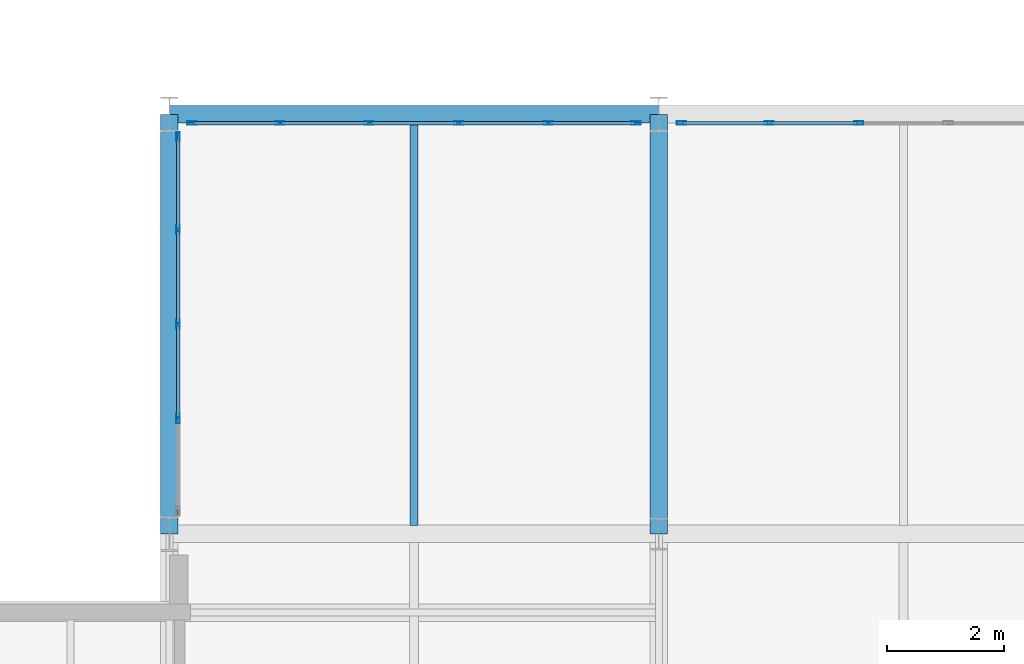
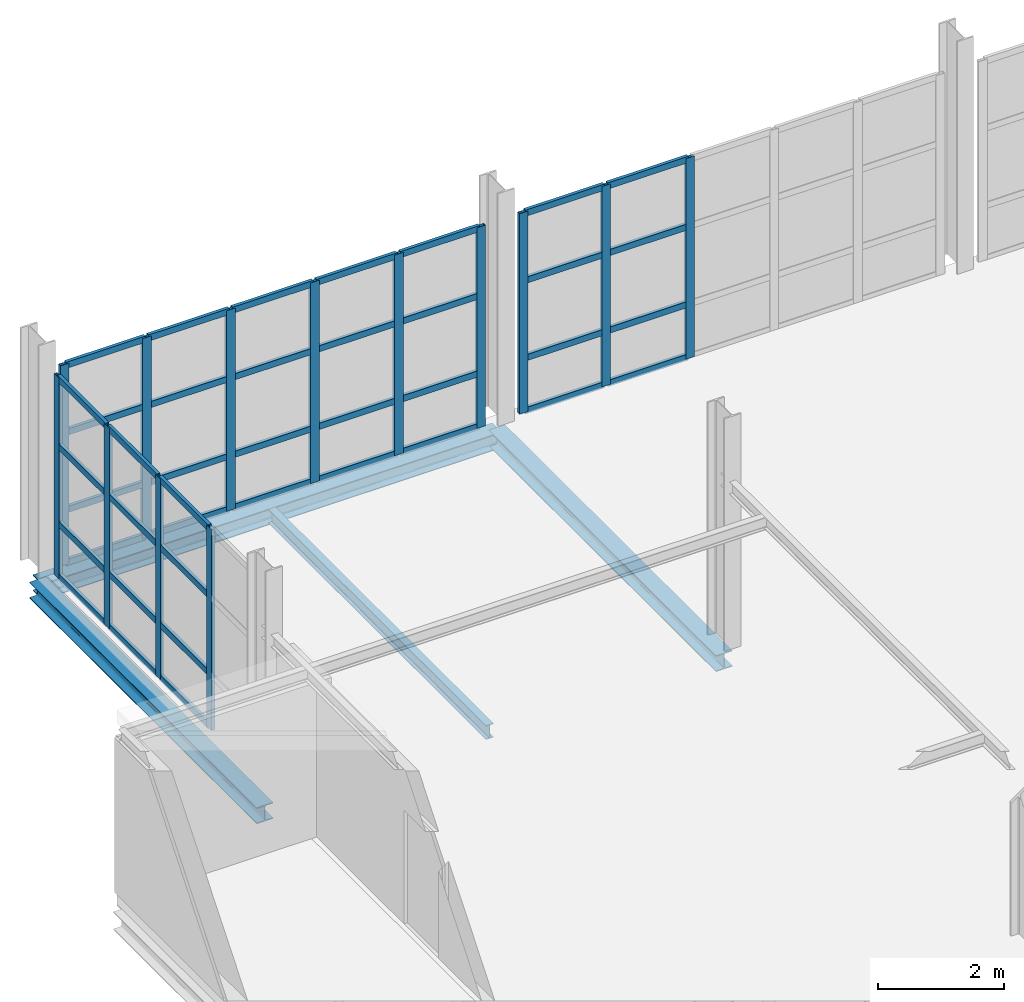
# One storey, part 17 of 109: 53 members, 4 beams, 3 elements without a shape of their own.
"""IFC4 building model written with IfcOpenShell, lengths in metres."""

from ifc_helpers import new_model, si_unit, direction, frame, origin, origin_2d, place, context, subcontext, project, spatial, hollow_rectangle, i_section, extrude, material, material_profile, profile_set, type_object, element, aggregate, save


model = new_model("IFC4")

# Units and contexts
model_context = context("Model", 3, precision=1e-05, world=origin(), true_north=direction((0.0, 1.0)))
body_context = subcontext(model_context, "Body", "Model", "MODEL_VIEW")
ifc_project = project(units=[si_unit("LENGTHUNIT", "METRE"), si_unit("AREAUNIT", "SQUARE_METRE"), si_unit("VOLUMEUNIT", "CUBIC_METRE"), si_unit("PLANEANGLEUNIT", "RADIAN"), si_unit("MASSUNIT", "GRAM", prefix="KILO")], contexts=[model_context])

# Site, building, storey
site_placement = place(None, origin())
site = spatial("IfcSite", under=ifc_project, at=site_placement, CompositionType="ELEMENT")
building_placement = place(site_placement, origin())
building = spatial("IfcBuilding", under=site, at=building_placement, Name="Veltarok Museum of Natural Sciences", CompositionType="ELEMENT")
storey_placement = place(building_placement, frame((0.0, 0.0, 17.39990234375)))
storey = spatial("IfcBuildingStorey", under=building, at=storey_placement, Name="L03", CompositionType="ELEMENT", Elevation=17.39990234375)

# Curtain wall, members
ifc_material_1 = material(Name="Low-iron triple insulated glass", Category="glass")
curtain_wall_type_1 = type_object("IfcCurtainWallType", Name="Curtain Wall System CW-BRG-N-L03-1-768x388 (Bridge North Court L03 1-2 768x388cm)", PredefinedType="NOTDEFINED", material=ifc_material_1)
curtain_wall_1_placement = place(storey_placement, origin())
curtain_wall_1 = element("IfcCurtainWall", 1, at=curtain_wall_1_placement, inside=storey, type_object=curtain_wall_type_1, Name="Curtain Wall CW-BRG-N-L03-1-768x388 CW-0043", PredefinedType="NOTDEFINED")
ifc_material_2 = material(Name="Thermally broken anodised aluminium", Category="aluminium")
ifc_material_profile_1 = material_profile(ifc_material_2, hollow_rectangle(XDim=0.06005859375, YDim=0.1201171875, WallThickness=0.0048828125, at=origin_2d()), Name="CW TRANSOM 60x120x5")
ifc_profile_set_1 = profile_set([ifc_material_profile_1], Name="Thermally broken anodised aluminium")
member_type_1 = type_object("IfcMemberType", Name="Curtain Wall Horizontal Transom 60x120x5", PredefinedType="USERDEFINED", material=ifc_profile_set_1)
member_1_placement = place(storey_placement, frame((14.3798828125, 26.25, 0.030029296875), z_axis=(-1.0, 0.0, 0.0), x_axis=(0.0, -1.0, 0.0)))
member_1 = element("IfcMember", 2, at=member_1_placement, type_object=member_type_1, Name="CW-BRG-N-L03-1-768x388 transom 1.1", ObjectType="TRANSOM", PredefinedType="USERDEFINED", context=body_context, shape_type="SweptSolid", body=[
    extrude(hollow_rectangle(XDim=0.06005859375, YDim=0.1201171875, WallThickness=0.0048828125, at=origin_2d()), origin(), (0.0, 0.0, 1.0), 1.44580078125),
])
member_2_placement = place(storey_placement, frame((14.3798828125, 26.25, 1.050048828125), z_axis=(-1.0, 0.0, 0.0), x_axis=(0.0, -1.0, 0.0)))
member_2 = element("IfcMember", 3, at=member_2_placement, type_object=member_type_1, Name="CW-BRG-N-L03-1-768x388 transom 1.2", ObjectType="TRANSOM", PredefinedType="USERDEFINED", context=body_context, shape_type="SweptSolid", body=[
    extrude(hollow_rectangle(XDim=0.06005859375, YDim=0.1201171875, WallThickness=0.0048828125, at=origin_2d()), origin(), (0.0, 0.0, 1.0), 1.44580078125),
])
member_3_placement = place(storey_placement, frame((14.3798828125, 26.25, 2.550048828125), z_axis=(-1.0, 0.0, 0.0), x_axis=(0.0, -1.0, 0.0)))
member_3 = element("IfcMember", 4, at=member_3_placement, type_object=member_type_1, Name="CW-BRG-N-L03-1-768x388 transom 1.3", ObjectType="TRANSOM", PredefinedType="USERDEFINED", context=body_context, shape_type="SweptSolid", body=[
    extrude(hollow_rectangle(XDim=0.06005859375, YDim=0.1201171875, WallThickness=0.0048828125, at=origin_2d()), origin(), (0.0, 0.0, 1.0), 1.44580078125),
])
member_4_placement = place(storey_placement, frame((14.3798828125, 26.25, 3.85009765625), z_axis=(-1.0, 0.0, 0.0), x_axis=(0.0, -1.0, 0.0)))
member_4 = element("IfcMember", 5, at=member_4_placement, type_object=member_type_1, Name="CW-BRG-N-L03-1-768x388 transom 1.4", ObjectType="TRANSOM", PredefinedType="USERDEFINED", context=body_context, shape_type="SweptSolid", body=[
    extrude(hollow_rectangle(XDim=0.06005859375, YDim=0.1201171875, WallThickness=0.0048828125, at=origin_2d()), origin(), (0.0, 0.0, 1.0), 1.44580078125),
])
member_5_placement = place(storey_placement, frame((12.8740234375, 26.25, 0.030029296875), z_axis=(-1.0, 0.0, 0.0), x_axis=(0.0, -1.0, 0.0)))
member_5 = element("IfcMember", 6, at=member_5_placement, type_object=member_type_1, Name="CW-BRG-N-L03-1-768x388 transom 2.1", ObjectType="TRANSOM", PredefinedType="USERDEFINED", context=body_context, shape_type="SweptSolid", body=[
    extrude(hollow_rectangle(XDim=0.06005859375, YDim=0.1201171875, WallThickness=0.0048828125, at=origin_2d()), origin(), (0.0, 0.0, 1.0), 1.47607421875),
])
member_6_placement = place(storey_placement, frame((12.8740234375, 26.25, 1.050048828125), z_axis=(-1.0, 0.0, 0.0), x_axis=(0.0, -1.0, 0.0)))
member_6 = element("IfcMember", 7, at=member_6_placement, type_object=member_type_1, Name="CW-BRG-N-L03-1-768x388 transom 2.2", ObjectType="TRANSOM", PredefinedType="USERDEFINED", context=body_context, shape_type="SweptSolid", body=[
    extrude(hollow_rectangle(XDim=0.06005859375, YDim=0.1201171875, WallThickness=0.0048828125, at=origin_2d()), origin(), (0.0, 0.0, 1.0), 1.47607421875),
])
member_7_placement = place(storey_placement, frame((12.8740234375, 26.25, 2.550048828125), z_axis=(-1.0, 0.0, 0.0), x_axis=(0.0, -1.0, 0.0)))
member_7 = element("IfcMember", 8, at=member_7_placement, type_object=member_type_1, Name="CW-BRG-N-L03-1-768x388 transom 2.3", ObjectType="TRANSOM", PredefinedType="USERDEFINED", context=body_context, shape_type="SweptSolid", body=[
    extrude(hollow_rectangle(XDim=0.06005859375, YDim=0.1201171875, WallThickness=0.0048828125, at=origin_2d()), origin(), (0.0, 0.0, 1.0), 1.47607421875),
])
member_8_placement = place(storey_placement, frame((12.8740234375, 26.25, 3.85009765625), z_axis=(-1.0, 0.0, 0.0), x_axis=(0.0, -1.0, 0.0)))
member_8 = element("IfcMember", 9, at=member_8_placement, type_object=member_type_1, Name="CW-BRG-N-L03-1-768x388 transom 2.4", ObjectType="TRANSOM", PredefinedType="USERDEFINED", context=body_context, shape_type="SweptSolid", body=[
    extrude(hollow_rectangle(XDim=0.06005859375, YDim=0.1201171875, WallThickness=0.0048828125, at=origin_2d()), origin(), (0.0, 0.0, 1.0), 1.47607421875),
])
member_9_placement = place(storey_placement, frame((11.337890625, 26.25, 0.030029296875), z_axis=(-1.0, 0.0, 0.0), x_axis=(0.0, -1.0, 0.0)))
member_9 = element("IfcMember", 10, at=member_9_placement, type_object=member_type_1, Name="CW-BRG-N-L03-1-768x388 transom 3.1", ObjectType="TRANSOM", PredefinedType="USERDEFINED", context=body_context, shape_type="SweptSolid", body=[
    extrude(hollow_rectangle(XDim=0.06005859375, YDim=0.1201171875, WallThickness=0.0048828125, at=origin_2d()), origin(), (0.0, 0.0, 1.0), 1.475830078125),
])
member_10_placement = place(storey_placement, frame((11.337890625, 26.25, 1.050048828125), z_axis=(-1.0, 0.0, 0.0), x_axis=(0.0, -1.0, 0.0)))
member_10 = element("IfcMember", 11, at=member_10_placement, type_object=member_type_1, Name="CW-BRG-N-L03-1-768x388 transom 3.2", ObjectType="TRANSOM", PredefinedType="USERDEFINED", context=body_context, shape_type="SweptSolid", body=[
    extrude(hollow_rectangle(XDim=0.06005859375, YDim=0.1201171875, WallThickness=0.0048828125, at=origin_2d()), origin(), (0.0, 0.0, 1.0), 1.475830078125),
])
member_11_placement = place(storey_placement, frame((11.337890625, 26.25, 2.550048828125), z_axis=(-1.0, 0.0, 0.0), x_axis=(0.0, -1.0, 0.0)))
member_11 = element("IfcMember", 12, at=member_11_placement, type_object=member_type_1, Name="CW-BRG-N-L03-1-768x388 transom 3.3", ObjectType="TRANSOM", PredefinedType="USERDEFINED", context=body_context, shape_type="SweptSolid", body=[
    extrude(hollow_rectangle(XDim=0.06005859375, YDim=0.1201171875, WallThickness=0.0048828125, at=origin_2d()), origin(), (0.0, 0.0, 1.0), 1.475830078125),
])
member_12_placement = place(storey_placement, frame((11.337890625, 26.25, 3.85009765625), z_axis=(-1.0, 0.0, 0.0), x_axis=(0.0, -1.0, 0.0)))
member_12 = element("IfcMember", 13, at=member_12_placement, type_object=member_type_1, Name="CW-BRG-N-L03-1-768x388 transom 3.4", ObjectType="TRANSOM", PredefinedType="USERDEFINED", context=body_context, shape_type="SweptSolid", body=[
    extrude(hollow_rectangle(XDim=0.06005859375, YDim=0.1201171875, WallThickness=0.0048828125, at=origin_2d()), origin(), (0.0, 0.0, 1.0), 1.475830078125),
])
member_13_placement = place(storey_placement, frame((9.802001953125, 26.25, 0.030029296875), z_axis=(-1.0, 0.0, 0.0), x_axis=(0.0, -1.0, 0.0)))
member_13 = element("IfcMember", 14, at=member_13_placement, type_object=member_type_1, Name="CW-BRG-N-L03-1-768x388 transom 4.1", ObjectType="TRANSOM", PredefinedType="USERDEFINED", context=body_context, shape_type="SweptSolid", body=[
    extrude(hollow_rectangle(XDim=0.06005859375, YDim=0.1201171875, WallThickness=0.0048828125, at=origin_2d()), origin(), (0.0, 0.0, 1.0), 1.47607421875),
])
member_14_placement = place(storey_placement, frame((9.802001953125, 26.25, 1.050048828125), z_axis=(-1.0, 0.0, 0.0), x_axis=(0.0, -1.0, 0.0)))
member_14 = element("IfcMember", 15, at=member_14_placement, type_object=member_type_1, Name="CW-BRG-N-L03-1-768x388 transom 4.2", ObjectType="TRANSOM", PredefinedType="USERDEFINED", context=body_context, shape_type="SweptSolid", body=[
    extrude(hollow_rectangle(XDim=0.06005859375, YDim=0.1201171875, WallThickness=0.0048828125, at=origin_2d()), origin(), (0.0, 0.0, 1.0), 1.47607421875),
])
member_15_placement = place(storey_placement, frame((9.802001953125, 26.25, 2.550048828125), z_axis=(-1.0, 0.0, 0.0), x_axis=(0.0, -1.0, 0.0)))
member_15 = element("IfcMember", 16, at=member_15_placement, type_object=member_type_1, Name="CW-BRG-N-L03-1-768x388 transom 4.3", ObjectType="TRANSOM", PredefinedType="USERDEFINED", context=body_context, shape_type="SweptSolid", body=[
    extrude(hollow_rectangle(XDim=0.06005859375, YDim=0.1201171875, WallThickness=0.0048828125, at=origin_2d()), origin(), (0.0, 0.0, 1.0), 1.47607421875),
])
member_16_placement = place(storey_placement, frame((9.802001953125, 26.25, 3.85009765625), z_axis=(-1.0, 0.0, 0.0), x_axis=(0.0, -1.0, 0.0)))
member_16 = element("IfcMember", 17, at=member_16_placement, type_object=member_type_1, Name="CW-BRG-N-L03-1-768x388 transom 4.4", ObjectType="TRANSOM", PredefinedType="USERDEFINED", context=body_context, shape_type="SweptSolid", body=[
    extrude(hollow_rectangle(XDim=0.06005859375, YDim=0.1201171875, WallThickness=0.0048828125, at=origin_2d()), origin(), (0.0, 0.0, 1.0), 1.47607421875),
])
member_17_placement = place(storey_placement, frame((8.26611328125, 26.25, 0.030029296875), z_axis=(-1.0, 0.0, 0.0), x_axis=(0.0, -1.0, 0.0)))
member_17 = element("IfcMember", 18, at=member_17_placement, type_object=member_type_1, Name="CW-BRG-N-L03-1-768x388 transom 5.1", ObjectType="TRANSOM", PredefinedType="USERDEFINED", context=body_context, shape_type="SweptSolid", body=[
    extrude(hollow_rectangle(XDim=0.06005859375, YDim=0.1201171875, WallThickness=0.0048828125, at=origin_2d()), origin(), (0.0, 0.0, 1.0), 1.446044921875),
])
member_18_placement = place(storey_placement, frame((8.26611328125, 26.25, 1.050048828125), z_axis=(-1.0, 0.0, 0.0), x_axis=(0.0, -1.0, 0.0)))
member_18 = element("IfcMember", 19, at=member_18_placement, type_object=member_type_1, Name="CW-BRG-N-L03-1-768x388 transom 5.2", ObjectType="TRANSOM", PredefinedType="USERDEFINED", context=body_context, shape_type="SweptSolid", body=[
    extrude(hollow_rectangle(XDim=0.06005859375, YDim=0.1201171875, WallThickness=0.0048828125, at=origin_2d()), origin(), (0.0, 0.0, 1.0), 1.446044921875),
])
member_19_placement = place(storey_placement, frame((8.26611328125, 26.25, 2.550048828125), z_axis=(-1.0, 0.0, 0.0), x_axis=(0.0, -1.0, 0.0)))
member_19 = element("IfcMember", 20, at=member_19_placement, type_object=member_type_1, Name="CW-BRG-N-L03-1-768x388 transom 5.3", ObjectType="TRANSOM", PredefinedType="USERDEFINED", context=body_context, shape_type="SweptSolid", body=[
    extrude(hollow_rectangle(XDim=0.06005859375, YDim=0.1201171875, WallThickness=0.0048828125, at=origin_2d()), origin(), (0.0, 0.0, 1.0), 1.446044921875),
])
member_20_placement = place(storey_placement, frame((8.26611328125, 26.25, 3.85009765625), z_axis=(-1.0, 0.0, 0.0), x_axis=(0.0, -1.0, 0.0)))
member_20 = element("IfcMember", 21, at=member_20_placement, type_object=member_type_1, Name="CW-BRG-N-L03-1-768x388 transom 5.4", ObjectType="TRANSOM", PredefinedType="USERDEFINED", context=body_context, shape_type="SweptSolid", body=[
    extrude(hollow_rectangle(XDim=0.06005859375, YDim=0.1201171875, WallThickness=0.0048828125, at=origin_2d()), origin(), (0.0, 0.0, 1.0), 1.446044921875),
])

curtain_wall_type_2 = type_object("IfcCurtainWallType", Name="Curtain Wall System CW-BRG-N-L03-2-768x388 (Bridge North Court L03 2-3 768x388cm)", PredefinedType="NOTDEFINED", material=ifc_material_1)
curtain_wall_2_placement = place(storey_placement, origin())
curtain_wall_2 = element("IfcCurtainWall", 22, at=curtain_wall_2_placement, inside=storey, type_object=curtain_wall_type_2, Name="Curtain Wall CW-BRG-N-L03-2-768x388 CW-0044", PredefinedType="NOTDEFINED")
member_21_placement = place(storey_placement, frame((18.201904296875, 26.25, 0.030029296875), z_axis=(-1.0, 0.0, 0.0), x_axis=(0.0, -1.0, 0.0)))
member_21 = element("IfcMember", 23, at=member_21_placement, type_object=member_type_1, Name="CW-BRG-N-L03-2-768x388 transom 4.1", ObjectType="TRANSOM", PredefinedType="USERDEFINED", context=body_context, shape_type="SweptSolid", body=[
    extrude(hollow_rectangle(XDim=0.06005859375, YDim=0.1201171875, WallThickness=0.0048828125, at=origin_2d()), origin(), (0.0, 0.0, 1.0), 1.475830078125),
])
member_22_placement = place(storey_placement, frame((18.201904296875, 26.25, 1.050048828125), z_axis=(-1.0, 0.0, 0.0), x_axis=(0.0, -1.0, 0.0)))
member_22 = element("IfcMember", 24, at=member_22_placement, type_object=member_type_1, Name="CW-BRG-N-L03-2-768x388 transom 4.2", ObjectType="TRANSOM", PredefinedType="USERDEFINED", context=body_context, shape_type="SweptSolid", body=[
    extrude(hollow_rectangle(XDim=0.06005859375, YDim=0.1201171875, WallThickness=0.0048828125, at=origin_2d()), origin(), (0.0, 0.0, 1.0), 1.475830078125),
])
member_23_placement = place(storey_placement, frame((18.201904296875, 26.25, 2.550048828125), z_axis=(-1.0, 0.0, 0.0), x_axis=(0.0, -1.0, 0.0)))
member_23 = element("IfcMember", 25, at=member_23_placement, type_object=member_type_1, Name="CW-BRG-N-L03-2-768x388 transom 4.3", ObjectType="TRANSOM", PredefinedType="USERDEFINED", context=body_context, shape_type="SweptSolid", body=[
    extrude(hollow_rectangle(XDim=0.06005859375, YDim=0.1201171875, WallThickness=0.0048828125, at=origin_2d()), origin(), (0.0, 0.0, 1.0), 1.475830078125),
])
member_24_placement = place(storey_placement, frame((18.201904296875, 26.25, 3.85009765625), z_axis=(-1.0, 0.0, 0.0), x_axis=(0.0, -1.0, 0.0)))
member_24 = element("IfcMember", 26, at=member_24_placement, type_object=member_type_1, Name="CW-BRG-N-L03-2-768x388 transom 4.4", ObjectType="TRANSOM", PredefinedType="USERDEFINED", context=body_context, shape_type="SweptSolid", body=[
    extrude(hollow_rectangle(XDim=0.06005859375, YDim=0.1201171875, WallThickness=0.0048828125, at=origin_2d()), origin(), (0.0, 0.0, 1.0), 1.475830078125),
])
member_25_placement = place(storey_placement, frame((16.666015625, 26.25, 0.030029296875), z_axis=(-1.0, 0.0, 0.0), x_axis=(0.0, -1.0, 0.0)))
member_25 = element("IfcMember", 27, at=member_25_placement, type_object=member_type_1, Name="CW-BRG-N-L03-2-768x388 transom 5.1", ObjectType="TRANSOM", PredefinedType="USERDEFINED", context=body_context, shape_type="SweptSolid", body=[
    extrude(hollow_rectangle(XDim=0.06005859375, YDim=0.1201171875, WallThickness=0.0048828125, at=origin_2d()), origin(), (0.0, 0.0, 1.0), 1.446044921875),
])
member_26_placement = place(storey_placement, frame((16.666015625, 26.25, 1.050048828125), z_axis=(-1.0, 0.0, 0.0), x_axis=(0.0, -1.0, 0.0)))
member_26 = element("IfcMember", 28, at=member_26_placement, type_object=member_type_1, Name="CW-BRG-N-L03-2-768x388 transom 5.2", ObjectType="TRANSOM", PredefinedType="USERDEFINED", context=body_context, shape_type="SweptSolid", body=[
    extrude(hollow_rectangle(XDim=0.06005859375, YDim=0.1201171875, WallThickness=0.0048828125, at=origin_2d()), origin(), (0.0, 0.0, 1.0), 1.446044921875),
])
member_27_placement = place(storey_placement, frame((16.666015625, 26.25, 2.550048828125), z_axis=(-1.0, 0.0, 0.0), x_axis=(0.0, -1.0, 0.0)))
member_27 = element("IfcMember", 29, at=member_27_placement, type_object=member_type_1, Name="CW-BRG-N-L03-2-768x388 transom 5.3", ObjectType="TRANSOM", PredefinedType="USERDEFINED", context=body_context, shape_type="SweptSolid", body=[
    extrude(hollow_rectangle(XDim=0.06005859375, YDim=0.1201171875, WallThickness=0.0048828125, at=origin_2d()), origin(), (0.0, 0.0, 1.0), 1.446044921875),
])
member_28_placement = place(storey_placement, frame((16.666015625, 26.25, 3.85009765625), z_axis=(-1.0, 0.0, 0.0), x_axis=(0.0, -1.0, 0.0)))
member_28 = element("IfcMember", 30, at=member_28_placement, type_object=member_type_1, Name="CW-BRG-N-L03-2-768x388 transom 5.4", ObjectType="TRANSOM", PredefinedType="USERDEFINED", context=body_context, shape_type="SweptSolid", body=[
    extrude(hollow_rectangle(XDim=0.06005859375, YDim=0.1201171875, WallThickness=0.0048828125, at=origin_2d()), origin(), (0.0, 0.0, 1.0), 1.446044921875),
])

curtain_wall_type_3 = type_object("IfcCurtainWallType", Name="Curtain Wall System CW-BRG-W-L03-CD-648x388 (Bridge West Forecourt L03 C-D 648x388cm)", PredefinedType="NOTDEFINED", material=ifc_material_1)
curtain_wall_3_placement = place(storey_placement, origin())
curtain_wall_3 = element("IfcCurtainWall", 31, at=curtain_wall_3_placement, inside=storey, type_object=curtain_wall_type_3, Name="Curtain Wall CW-BRG-W-L03-CD-648x388 CW-0046", PredefinedType="NOTDEFINED")
member_29_placement = place(storey_placement, frame((6.550048828125, 25.97998046875, 0.030029296875), z_axis=(0.0, -1.0, 0.0), x_axis=(1.0, 0.0, 0.0)))
member_29 = element("IfcMember", 32, at=member_29_placement, type_object=member_type_1, Name="CW-BRG-W-L03-CD-648x388 transom 1.1", ObjectType="TRANSOM", PredefinedType="USERDEFINED", context=body_context, shape_type="SweptSolid", body=[
    extrude(hollow_rectangle(XDim=0.06005859375, YDim=0.1201171875, WallThickness=0.0048828125, at=origin_2d()), origin(), (0.0, 0.0, 1.0), 1.530029296875),
])
member_30_placement = place(storey_placement, frame((6.550048828125, 25.97998046875, 1.050048828125), z_axis=(0.0, -1.0, 0.0), x_axis=(1.0, 0.0, 0.0)))
member_30 = element("IfcMember", 33, at=member_30_placement, type_object=member_type_1, Name="CW-BRG-W-L03-CD-648x388 transom 1.2", ObjectType="TRANSOM", PredefinedType="USERDEFINED", context=body_context, shape_type="SweptSolid", body=[
    extrude(hollow_rectangle(XDim=0.06005859375, YDim=0.1201171875, WallThickness=0.0048828125, at=origin_2d()), origin(), (0.0, 0.0, 1.0), 1.530029296875),
])
member_31_placement = place(storey_placement, frame((6.550048828125, 25.97998046875, 2.550048828125), z_axis=(0.0, -1.0, 0.0), x_axis=(1.0, 0.0, 0.0)))
member_31 = element("IfcMember", 34, at=member_31_placement, type_object=member_type_1, Name="CW-BRG-W-L03-CD-648x388 transom 1.3", ObjectType="TRANSOM", PredefinedType="USERDEFINED", context=body_context, shape_type="SweptSolid", body=[
    extrude(hollow_rectangle(XDim=0.06005859375, YDim=0.1201171875, WallThickness=0.0048828125, at=origin_2d()), origin(), (0.0, 0.0, 1.0), 1.530029296875),
])
member_32_placement = place(storey_placement, frame((6.550048828125, 25.97998046875, 3.85009765625), z_axis=(0.0, -1.0, 0.0), x_axis=(1.0, 0.0, 0.0)))
member_32 = element("IfcMember", 35, at=member_32_placement, type_object=member_type_1, Name="CW-BRG-W-L03-CD-648x388 transom 1.4", ObjectType="TRANSOM", PredefinedType="USERDEFINED", context=body_context, shape_type="SweptSolid", body=[
    extrude(hollow_rectangle(XDim=0.06005859375, YDim=0.1201171875, WallThickness=0.0048828125, at=origin_2d()), origin(), (0.0, 0.0, 1.0), 1.530029296875),
])
member_33_placement = place(storey_placement, frame((6.550048828125, 24.389892578125, 0.030029296875), z_axis=(0.0, -1.0, 0.0), x_axis=(1.0, 0.0, 0.0)))
member_33 = element("IfcMember", 36, at=member_33_placement, type_object=member_type_1, Name="CW-BRG-W-L03-CD-648x388 transom 2.1", ObjectType="TRANSOM", PredefinedType="USERDEFINED", context=body_context, shape_type="SweptSolid", body=[
    extrude(hollow_rectangle(XDim=0.06005859375, YDim=0.1201171875, WallThickness=0.0048828125, at=origin_2d()), origin(), (0.0, 0.0, 1.0), 1.559814453125),
])
member_34_placement = place(storey_placement, frame((6.550048828125, 24.389892578125, 1.050048828125), z_axis=(0.0, -1.0, 0.0), x_axis=(1.0, 0.0, 0.0)))
member_34 = element("IfcMember", 37, at=member_34_placement, type_object=member_type_1, Name="CW-BRG-W-L03-CD-648x388 transom 2.2", ObjectType="TRANSOM", PredefinedType="USERDEFINED", context=body_context, shape_type="SweptSolid", body=[
    extrude(hollow_rectangle(XDim=0.06005859375, YDim=0.1201171875, WallThickness=0.0048828125, at=origin_2d()), origin(), (0.0, 0.0, 1.0), 1.559814453125),
])
member_35_placement = place(storey_placement, frame((6.550048828125, 24.389892578125, 2.550048828125), z_axis=(0.0, -1.0, 0.0), x_axis=(1.0, 0.0, 0.0)))
member_35 = element("IfcMember", 38, at=member_35_placement, type_object=member_type_1, Name="CW-BRG-W-L03-CD-648x388 transom 2.3", ObjectType="TRANSOM", PredefinedType="USERDEFINED", context=body_context, shape_type="SweptSolid", body=[
    extrude(hollow_rectangle(XDim=0.06005859375, YDim=0.1201171875, WallThickness=0.0048828125, at=origin_2d()), origin(), (0.0, 0.0, 1.0), 1.559814453125),
])
member_36_placement = place(storey_placement, frame((6.550048828125, 24.389892578125, 3.85009765625), z_axis=(0.0, -1.0, 0.0), x_axis=(1.0, 0.0, 0.0)))
member_36 = element("IfcMember", 39, at=member_36_placement, type_object=member_type_1, Name="CW-BRG-W-L03-CD-648x388 transom 2.4", ObjectType="TRANSOM", PredefinedType="USERDEFINED", context=body_context, shape_type="SweptSolid", body=[
    extrude(hollow_rectangle(XDim=0.06005859375, YDim=0.1201171875, WallThickness=0.0048828125, at=origin_2d()), origin(), (0.0, 0.0, 1.0), 1.559814453125),
])
member_37_placement = place(storey_placement, frame((6.550048828125, 22.77001953125, 0.030029296875), z_axis=(0.0, -1.0, 0.0), x_axis=(1.0, 0.0, 0.0)))
member_37 = element("IfcMember", 40, at=member_37_placement, type_object=member_type_1, Name="CW-BRG-W-L03-CD-648x388 transom 3.1", ObjectType="TRANSOM", PredefinedType="USERDEFINED", context=body_context, shape_type="SweptSolid", body=[
    extrude(hollow_rectangle(XDim=0.06005859375, YDim=0.1201171875, WallThickness=0.0048828125, at=origin_2d()), origin(), (0.0, 0.0, 1.0), 1.56005859375),
])
member_38_placement = place(storey_placement, frame((6.550048828125, 22.77001953125, 1.050048828125), z_axis=(0.0, -1.0, 0.0), x_axis=(1.0, 0.0, 0.0)))
member_38 = element("IfcMember", 41, at=member_38_placement, type_object=member_type_1, Name="CW-BRG-W-L03-CD-648x388 transom 3.2", ObjectType="TRANSOM", PredefinedType="USERDEFINED", context=body_context, shape_type="SweptSolid", body=[
    extrude(hollow_rectangle(XDim=0.06005859375, YDim=0.1201171875, WallThickness=0.0048828125, at=origin_2d()), origin(), (0.0, 0.0, 1.0), 1.56005859375),
])
member_39_placement = place(storey_placement, frame((6.550048828125, 22.77001953125, 2.550048828125), z_axis=(0.0, -1.0, 0.0), x_axis=(1.0, 0.0, 0.0)))
member_39 = element("IfcMember", 42, at=member_39_placement, type_object=member_type_1, Name="CW-BRG-W-L03-CD-648x388 transom 3.3", ObjectType="TRANSOM", PredefinedType="USERDEFINED", context=body_context, shape_type="SweptSolid", body=[
    extrude(hollow_rectangle(XDim=0.06005859375, YDim=0.1201171875, WallThickness=0.0048828125, at=origin_2d()), origin(), (0.0, 0.0, 1.0), 1.56005859375),
])
member_40_placement = place(storey_placement, frame((6.550048828125, 22.77001953125, 3.85009765625), z_axis=(0.0, -1.0, 0.0), x_axis=(1.0, 0.0, 0.0)))
member_40 = element("IfcMember", 43, at=member_40_placement, type_object=member_type_1, Name="CW-BRG-W-L03-CD-648x388 transom 3.4", ObjectType="TRANSOM", PredefinedType="USERDEFINED", context=body_context, shape_type="SweptSolid", body=[
    extrude(hollow_rectangle(XDim=0.06005859375, YDim=0.1201171875, WallThickness=0.0048828125, at=origin_2d()), origin(), (0.0, 0.0, 1.0), 1.56005859375),
])

# Member
ifc_material_profile_2 = material_profile(ifc_material_2, hollow_rectangle(XDim=0.06005859375, YDim=0.159912109375, WallThickness=0.0048828125, at=origin_2d()), Name="CW MULLION 60x160x5")
ifc_profile_set_2 = profile_set([ifc_material_profile_2], Name="Thermally broken anodised aluminium")
member_type_2 = type_object("IfcMemberType", Name="Curtain Wall Vertical Mullion 60x160x5", PredefinedType="MULLION", material=ifc_profile_set_2)
member_41_placement = place(storey_placement, frame((14.409912109375, 26.25, 0.0), z_axis=(0.0, 0.0, 1.0), x_axis=(0.0, -1.0, 0.0)))
member_41 = element("IfcMember", 44, at=member_41_placement, type_object=member_type_2, Name="CW-BRG-N-L03-1-768x388 mullion 1", PredefinedType="MULLION", context=body_context, shape_type="SweptSolid", body=[
    extrude(hollow_rectangle(XDim=0.06005859375, YDim=0.159912109375, WallThickness=0.0048828125, at=origin_2d()), origin(), (0.0, 0.0, 1.0), 3.880126953125),
])

member_42_placement = place(storey_placement, frame((12.904052734375, 26.25, 0.0), z_axis=(0.0, 0.0, 1.0), x_axis=(0.0, -1.0, 0.0)))
member_42 = element("IfcMember", 45, at=member_42_placement, type_object=member_type_2, Name="CW-BRG-N-L03-1-768x388 mullion 2", PredefinedType="MULLION", context=body_context, shape_type="SweptSolid", body=[
    extrude(hollow_rectangle(XDim=0.06005859375, YDim=0.159912109375, WallThickness=0.0048828125, at=origin_2d()), origin(), (0.0, 0.0, 1.0), 3.880126953125),
])

member_43_placement = place(storey_placement, frame((11.367919921875, 26.25, 0.0), z_axis=(0.0, 0.0, 1.0), x_axis=(0.0, -1.0, 0.0)))
member_43 = element("IfcMember", 46, at=member_43_placement, type_object=member_type_2, Name="CW-BRG-N-L03-1-768x388 mullion 3", PredefinedType="MULLION", context=body_context, shape_type="SweptSolid", body=[
    extrude(hollow_rectangle(XDim=0.06005859375, YDim=0.159912109375, WallThickness=0.0048828125, at=origin_2d()), origin(), (0.0, 0.0, 1.0), 3.880126953125),
])

member_44_placement = place(storey_placement, frame((9.83203125, 26.25, 0.0), z_axis=(0.0, 0.0, 1.0), x_axis=(0.0, -1.0, 0.0)))
member_44 = element("IfcMember", 47, at=member_44_placement, type_object=member_type_2, Name="CW-BRG-N-L03-1-768x388 mullion 4", PredefinedType="MULLION", context=body_context, shape_type="SweptSolid", body=[
    extrude(hollow_rectangle(XDim=0.06005859375, YDim=0.159912109375, WallThickness=0.0048828125, at=origin_2d()), origin(), (0.0, 0.0, 1.0), 3.880126953125),
])

member_45_placement = place(storey_placement, frame((8.2958984375, 26.25, 0.0), z_axis=(0.0, 0.0, 1.0), x_axis=(0.0, -1.0, 0.0)))
member_45 = element("IfcMember", 48, at=member_45_placement, type_object=member_type_2, Name="CW-BRG-N-L03-1-768x388 mullion 5", PredefinedType="MULLION", context=body_context, shape_type="SweptSolid", body=[
    extrude(hollow_rectangle(XDim=0.06005859375, YDim=0.159912109375, WallThickness=0.0048828125, at=origin_2d()), origin(), (0.0, 0.0, 1.0), 3.880126953125),
])

member_46_placement = place(storey_placement, frame((6.7900390625, 26.25, 0.0), z_axis=(0.0, 0.0, 1.0), x_axis=(0.0, -1.0, 0.0)))
member_46 = element("IfcMember", 49, at=member_46_placement, type_object=member_type_2, Name="CW-BRG-N-L03-1-768x388 mullion 6", PredefinedType="MULLION", context=body_context, shape_type="SweptSolid", body=[
    extrude(hollow_rectangle(XDim=0.06005859375, YDim=0.159912109375, WallThickness=0.0048828125, at=origin_2d()), origin(), (0.0, 0.0, 1.0), 3.880126953125),
])

aggregate(curtain_wall_1, [member_41, member_42, member_43, member_44, member_45, member_46, member_1, member_2, member_3, member_4, member_5, member_6, member_7, member_8, member_9, member_10, member_11, member_12, member_13, member_14, member_15, member_16, member_17, member_18, member_19, member_20])

member_47_placement = place(storey_placement, frame((18.23193359375, 26.25, 0.0), z_axis=(0.0, 0.0, 1.0), x_axis=(0.0, -1.0, 0.0)))
member_47 = element("IfcMember", 50, at=member_47_placement, type_object=member_type_2, Name="CW-BRG-N-L03-2-768x388 mullion 4", PredefinedType="MULLION", context=body_context, shape_type="SweptSolid", body=[
    extrude(hollow_rectangle(XDim=0.06005859375, YDim=0.159912109375, WallThickness=0.0048828125, at=origin_2d()), origin(), (0.0, 0.0, 1.0), 3.880126953125),
])

member_48_placement = place(storey_placement, frame((16.696044921875, 26.25, 0.0), z_axis=(0.0, 0.0, 1.0), x_axis=(0.0, -1.0, 0.0)))
member_48 = element("IfcMember", 51, at=member_48_placement, type_object=member_type_2, Name="CW-BRG-N-L03-2-768x388 mullion 5", PredefinedType="MULLION", context=body_context, shape_type="SweptSolid", body=[
    extrude(hollow_rectangle(XDim=0.06005859375, YDim=0.159912109375, WallThickness=0.0048828125, at=origin_2d()), origin(), (0.0, 0.0, 1.0), 3.880126953125),
])

member_49_placement = place(storey_placement, frame((15.18994140625, 26.25, 0.0), z_axis=(0.0, 0.0, 1.0), x_axis=(0.0, -1.0, 0.0)))
member_49 = element("IfcMember", 52, at=member_49_placement, type_object=member_type_2, Name="CW-BRG-N-L03-2-768x388 mullion 6", PredefinedType="MULLION", context=body_context, shape_type="SweptSolid", body=[
    extrude(hollow_rectangle(XDim=0.06005859375, YDim=0.159912109375, WallThickness=0.0048828125, at=origin_2d()), origin(), (0.0, 0.0, 1.0), 3.880126953125),
])

aggregate(curtain_wall_2, [member_47, member_48, member_49, member_21, member_22, member_23, member_24, member_25, member_26, member_27, member_28])

member_50_placement = place(storey_placement, frame((6.550048828125, 26.010009765625, 0.0), z_axis=(0.0, 0.0, 1.0), x_axis=(1.0, 0.0, 0.0)))
member_50 = element("IfcMember", 53, at=member_50_placement, type_object=member_type_2, Name="CW-BRG-W-L03-CD-648x388 mullion 1", PredefinedType="MULLION", context=body_context, shape_type="SweptSolid", body=[
    extrude(hollow_rectangle(XDim=0.06005859375, YDim=0.159912109375, WallThickness=0.0048828125, at=origin_2d()), origin(), (0.0, 0.0, 1.0), 3.880126953125),
])

member_51_placement = place(storey_placement, frame((6.550048828125, 24.419921875, 0.0), z_axis=(0.0, 0.0, 1.0), x_axis=(1.0, 0.0, 0.0)))
member_51 = element("IfcMember", 54, at=member_51_placement, type_object=member_type_2, Name="CW-BRG-W-L03-CD-648x388 mullion 2", PredefinedType="MULLION", context=body_context, shape_type="SweptSolid", body=[
    extrude(hollow_rectangle(XDim=0.06005859375, YDim=0.159912109375, WallThickness=0.0048828125, at=origin_2d()), origin(), (0.0, 0.0, 1.0), 3.880126953125),
])

member_52_placement = place(storey_placement, frame((6.550048828125, 22.800048828125, 0.0), z_axis=(0.0, 0.0, 1.0), x_axis=(1.0, 0.0, 0.0)))
member_52 = element("IfcMember", 55, at=member_52_placement, type_object=member_type_2, Name="CW-BRG-W-L03-CD-648x388 mullion 3", PredefinedType="MULLION", context=body_context, shape_type="SweptSolid", body=[
    extrude(hollow_rectangle(XDim=0.06005859375, YDim=0.159912109375, WallThickness=0.0048828125, at=origin_2d()), origin(), (0.0, 0.0, 1.0), 3.880126953125),
])

member_53_placement = place(storey_placement, frame((6.550048828125, 21.179931640625, 0.0), z_axis=(0.0, 0.0, 1.0), x_axis=(1.0, 0.0, 0.0)))
member_53 = element("IfcMember", 56, at=member_53_placement, type_object=member_type_2, Name="CW-BRG-W-L03-CD-648x388 mullion 4", PredefinedType="MULLION", context=body_context, shape_type="SweptSolid", body=[
    extrude(hollow_rectangle(XDim=0.06005859375, YDim=0.159912109375, WallThickness=0.0048828125, at=origin_2d()), origin(), (0.0, 0.0, 1.0), 3.880126953125),
])

aggregate(curtain_wall_3, [member_50, member_51, member_52, member_53, member_29, member_30, member_31, member_32, member_33, member_34, member_35, member_36, member_37, member_38, member_39, member_40])

# Beams
ifc_material_3 = material(Name="Steel S355J2", Category="steel")
ifc_material_profile_3 = material_profile(ifc_material_3, i_section(OverallWidth=0.300048828125, OverallDepth=0.31005859375, WebThickness=0.009033203125, FlangeThickness=0.015380859375, FilletRadius=0.027099609375, at=origin_2d()), Name="HEA 320")
ifc_profile_set_3 = profile_set([ifc_material_profile_3], Name="Steel S355J2")
beam_type_1 = type_object("IfcBeamType", Name="Perimeter Edge Spandrel HEA 320", PredefinedType="SPANDREL", material=ifc_profile_set_3)
beam_1_placement = place(storey_placement, frame((6.39990234375, 26.39990234375, -0.40478515625), z_axis=(1.0, 0.0, 0.0), x_axis=(0.0, 1.0, 0.0)))
element("IfcBeam", 57, at=beam_1_placement, inside=storey, type_object=beam_type_1, Name="Beam BM-SP04 L03 1-2/D", PredefinedType="SPANDREL", context=body_context, shape_type="SweptSolid", body=[
    extrude(i_section(OverallWidth=0.300048828125, OverallDepth=0.31005859375, WebThickness=0.009033203125, FlangeThickness=0.015380859375, FilletRadius=0.027099609375, at=origin_2d()), origin(), (0.0, 0.0, 1.0), 8.400146484375),
])
for number, where, z_axis, x_axis, name in (
    (58, (6.39990234375, 19.199951171875, -0.40478515625), (0.0, 1.0, 0.0), (-1.0, 0.0, 0.0), "Beam BM-SP04 L03 1/C-D"),
    (59, (14.800048828125, 19.199951171875, -0.40478515625), (0.0, 1.0, 0.0), (-1.0, 0.0, 0.0), "Beam BM-SP04 L03 2/C-D"),
):
    element("IfcBeam", number, at=place(storey_placement, frame(where, z_axis=z_axis, x_axis=x_axis)), inside=storey, type_object=beam_type_1, Name=name, PredefinedType="SPANDREL", context=body_context, shape_type="SweptSolid", body=[
        extrude(i_section(OverallWidth=0.300048828125, OverallDepth=0.31005859375, WebThickness=0.009033203125, FlangeThickness=0.015380859375, FilletRadius=0.027099609375, at=origin_2d()), origin(), (0.0, 0.0, 1.0), 7.199951171875),
    ])
ifc_material_profile_4 = material_profile(ifc_material_3, i_section(OverallWidth=0.135009765625, OverallDepth=0.27001953125, WebThickness=0.006591796875, FlangeThickness=0.01025390625, FilletRadius=0.014892578125, at=origin_2d()), Name="IPE 270")
ifc_profile_set_4 = profile_set([ifc_material_profile_4], Name="Steel S355J2")
beam_type_2 = type_object("IfcBeamType", Name="Short-Bay Composite Joist IPE 270", PredefinedType="JOIST", material=ifc_profile_set_4)
beam_2_placement = place(storey_placement, frame((10.60009765625, 19.347900390625, -0.385009765625), z_axis=(0.0, 1.0, 0.0), x_axis=(-1.0, 0.0, 0.0)))
element("IfcBeam", 60, at=beam_2_placement, inside=storey, type_object=beam_type_2, Name="Secondary Joist BM-J04 L03 1-2/C-D.1", PredefinedType="JOIST", context=body_context, shape_type="SweptSolid", body=[
    extrude(i_section(OverallWidth=0.135009765625, OverallDepth=0.27001953125, WebThickness=0.006591796875, FlangeThickness=0.01025390625, FilletRadius=0.014892578125, at=origin_2d()), origin(), (0.0, 0.0, 1.0), 6.904052734375),
])

save(model, "model.ifc")
